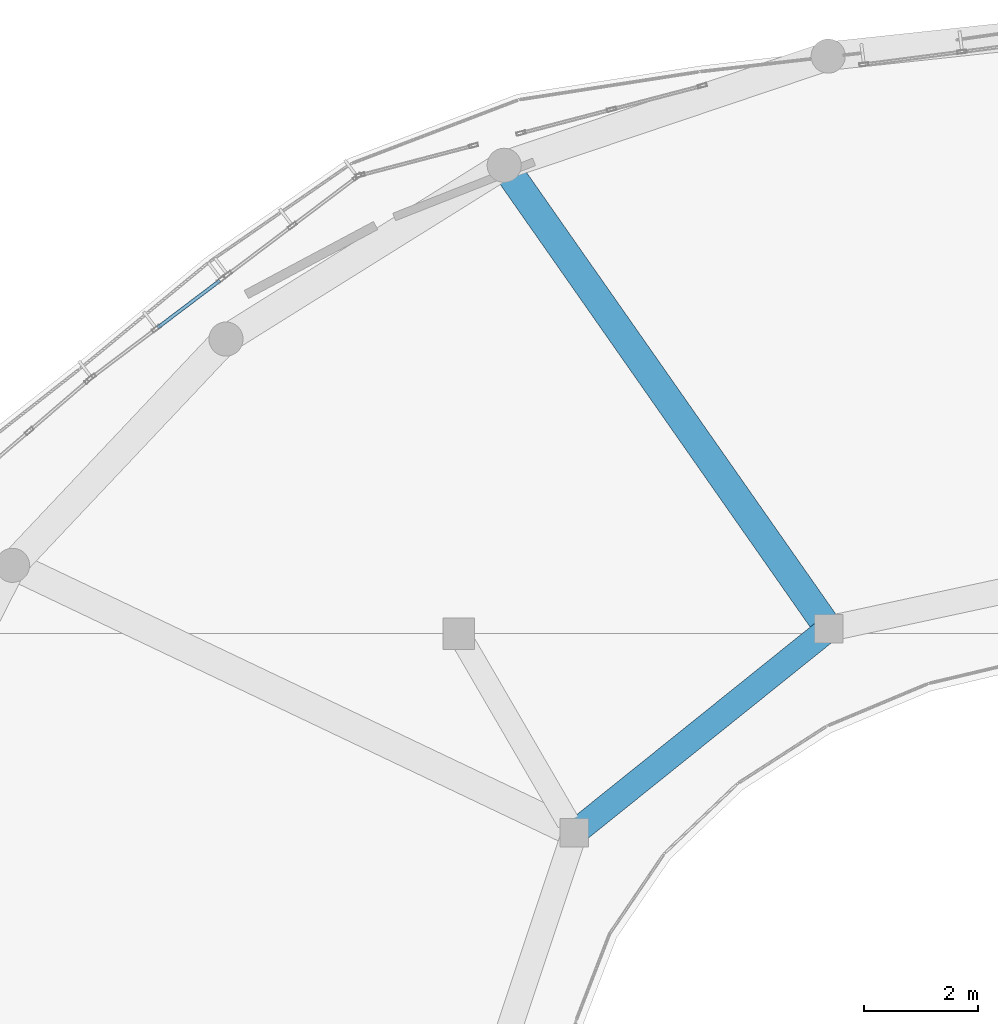
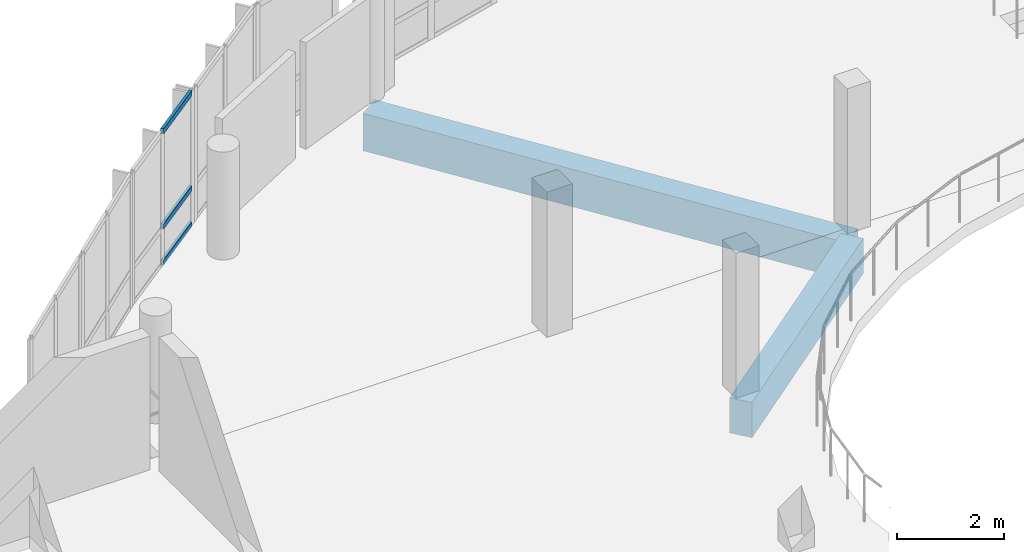
# One storey, part 15 of 43: 3 members, 2 beams, 1 element without a shape of its own.
"""IFC4 building model written with IfcOpenShell, lengths in metres."""

from ifc_helpers import new_model, si_unit, derived_unit, direction, frame, origin, origin_2d, place, context, subcontext, project, spatial, rectangle, hollow_rectangle, extrude, material, layer, layer_set, material_profile, profile_set, type_object, element, aggregate, save


model = new_model("IFC4")

# Units and contexts
model_context = context("Model", 3, precision=1e-05, world=origin(), true_north=direction((0.0, 1.0)))
body_context = subcontext(model_context, "Body", "Model", "MODEL_VIEW")
ifc_project = project(units=[si_unit("LENGTHUNIT", "METRE"), si_unit("AREAUNIT", "SQUARE_METRE"), si_unit("VOLUMEUNIT", "CUBIC_METRE"), si_unit("PLANEANGLEUNIT", "RADIAN"), si_unit("MASSUNIT", "GRAM", prefix="KILO"), derived_unit("THERMALTRANSMITTANCEUNIT", [(si_unit("POWERUNIT", "WATT"), 1), (si_unit("LENGTHUNIT", "METRE"), -2), (si_unit("THERMODYNAMICTEMPERATUREUNIT", "KELVIN"), -1)])], contexts=[model_context])

# Site, building, storey
site_placement = place(None, origin())
site = spatial("IfcSite", under=ifc_project, at=site_placement, CompositionType="ELEMENT")
building_placement = place(site_placement, origin())
building = spatial("IfcBuilding", under=site, at=building_placement, Name="Elbkamm Science Centre", CompositionType="ELEMENT")
storey_placement = place(building_placement, frame((0.0, 0.0, 18.300048828125)))
storey = spatial("IfcBuildingStorey", under=building, at=storey_placement, Name="L04", CompositionType="ELEMENT", Elevation=18.300048828125)

# Beams
ifc_material_1 = material(Name="Concrete C40/50", Category="concrete")
ifc_material_profile_1 = material_profile(ifc_material_1, rectangle(XDim=0.449951171875, YDim=0.800048828125, at=origin_2d()), Name="RC 450x800")
ifc_profile_set_1 = profile_set([ifc_material_profile_1], Name="Concrete C40/50")
beam_type_1 = type_object("IfcBeamType", Name="BM-RC-450x800", PredefinedType="BEAM", material=ifc_profile_set_1)
beam_1_placement = place(storey_placement, frame((56.89990234375, 75.68701171875, -0.679931640625), z_axis=(-0.779653109273, -0.626211648887, 0.0), x_axis=(0.626211648887, -0.779653109273, 0.0)))
element("IfcBeam", 1, at=beam_1_placement, inside=storey, type_object=beam_type_1, Name="L04 Atrium Ring Girder 05", PredefinedType="BEAM", context=body_context, shape_type="SweptSolid", body=[
    extrude(rectangle(XDim=0.449951171875, YDim=0.800048828125, at=origin_2d()), origin(), (0.0, 0.0, 1.0), 5.72802734375),
])
ifc_material_profile_2 = material_profile(ifc_material_1, rectangle(XDim=0.5, YDim=0.85009765625, at=origin_2d()), Name="RC 500x850")
ifc_profile_set_2 = profile_set([ifc_material_profile_2], Name="Concrete C40/50")
beam_type_2 = type_object("IfcBeamType", Name="BM-RC-500x850", PredefinedType="BEAM", material=ifc_profile_set_2)
beam_2_placement = place(storey_placement, frame((56.89990234375, 75.68701171875, -0.705078125), z_axis=(-0.573553022395, 0.819168438419, 0.0), x_axis=(-0.819168438419, -0.573553022395, 0.0)))
element("IfcBeam", 2, at=beam_2_placement, inside=storey, type_object=beam_type_2, Name="L04 Elliptical Radial Girder 05", PredefinedType="BEAM", context=body_context, shape_type="SweptSolid", body=[
    extrude(rectangle(XDim=0.5, YDim=0.85009765625, at=origin_2d()), origin(), (0.0, 0.0, 1.0), 9.93798828125),
])

# Curtain wall, members
ifc_material_2 = material(Name="Powder-coated aluminium and triple low-E glazing", Category="aluminium")
ifc_layer = layer(ifc_material_2, 0.159912109375)
ifc_layer_set = layer_set([ifc_layer], Name="Powder-coated aluminium and triple low-E glazing")
curtain_wall_type = type_object("IfcCurtainWallType", Name="CW-UNIT-2920x3040", PredefinedType="USERDEFINED", material=ifc_layer_set)
curtain_wall_placement = place(storey_placement, origin())
curtain_wall = element("IfcCurtainWall", 3, at=curtain_wall_placement, inside=storey, type_object=curtain_wall_type, Name="L04 Unitised Curtain Wall 087", ObjectType="UNITISED CURTAIN WALL", PredefinedType="USERDEFINED")
ifc_material_3 = material(Name="Powder-coated aluminium EN AW-6060", Category="aluminium")
ifc_material_profile_3 = material_profile(ifc_material_3, hollow_rectangle(XDim=0.06005859375, YDim=0.1201171875, WallThickness=0.00341796875, at=origin_2d()), Name="ALU T60x120")
ifc_profile_set_3 = profile_set([ifc_material_profile_3], Name="Powder-coated aluminium EN AW-6060")
member_type = type_object("IfcMemberType", Name="CW-TRN-60x120", PredefinedType="USERDEFINED", material=ifc_profile_set_3)
member_1_placement = place(storey_placement, frame((46.205078125, 81.80224609375, 0.030029296875), z_axis=(-0.797703291917, -0.603050128982, 0.0), x_axis=(0.603050128982, -0.797703291917, 0.0)))
member_1 = element("IfcMember", 4, at=member_1_placement, type_object=member_type, Name="CW-041 transom 1.1", ObjectType="TRANSOM", PredefinedType="USERDEFINED", context=body_context, shape_type="SweptSolid", body=[
    extrude(hollow_rectangle(XDim=0.06005859375, YDim=0.1201171875, WallThickness=0.00341796875, at=origin_2d()), origin(), (0.0, 0.0, 1.0), 1.368408203125),
])
member_2_placement = place(storey_placement, frame((46.205078125, 81.80224609375, 0.849853515625), z_axis=(-0.797703291917, -0.603050128982, 0.0), x_axis=(0.603050128982, -0.797703291917, 0.0)))
member_2 = element("IfcMember", 5, at=member_2_placement, type_object=member_type, Name="CW-041 transom 1.2", ObjectType="TRANSOM", PredefinedType="USERDEFINED", context=body_context, shape_type="SweptSolid", body=[
    extrude(hollow_rectangle(XDim=0.06005859375, YDim=0.1201171875, WallThickness=0.00341796875, at=origin_2d()), origin(), (0.0, 0.0, 1.0), 1.368408203125),
])
member_3_placement = place(storey_placement, frame((46.205078125, 81.80224609375, 3.010009765625), z_axis=(-0.797703291917, -0.603050128982, 0.0), x_axis=(0.603050128982, -0.797703291917, 0.0)))
member_3 = element("IfcMember", 6, at=member_3_placement, type_object=member_type, Name="CW-041 transom 1.3", ObjectType="TRANSOM", PredefinedType="USERDEFINED", context=body_context, shape_type="SweptSolid", body=[
    extrude(hollow_rectangle(XDim=0.06005859375, YDim=0.1201171875, WallThickness=0.00341796875, at=origin_2d()), origin(), (0.0, 0.0, 1.0), 1.368408203125),
])
aggregate(curtain_wall, [member_1, member_2, member_3])

save(model, "model.ifc")
